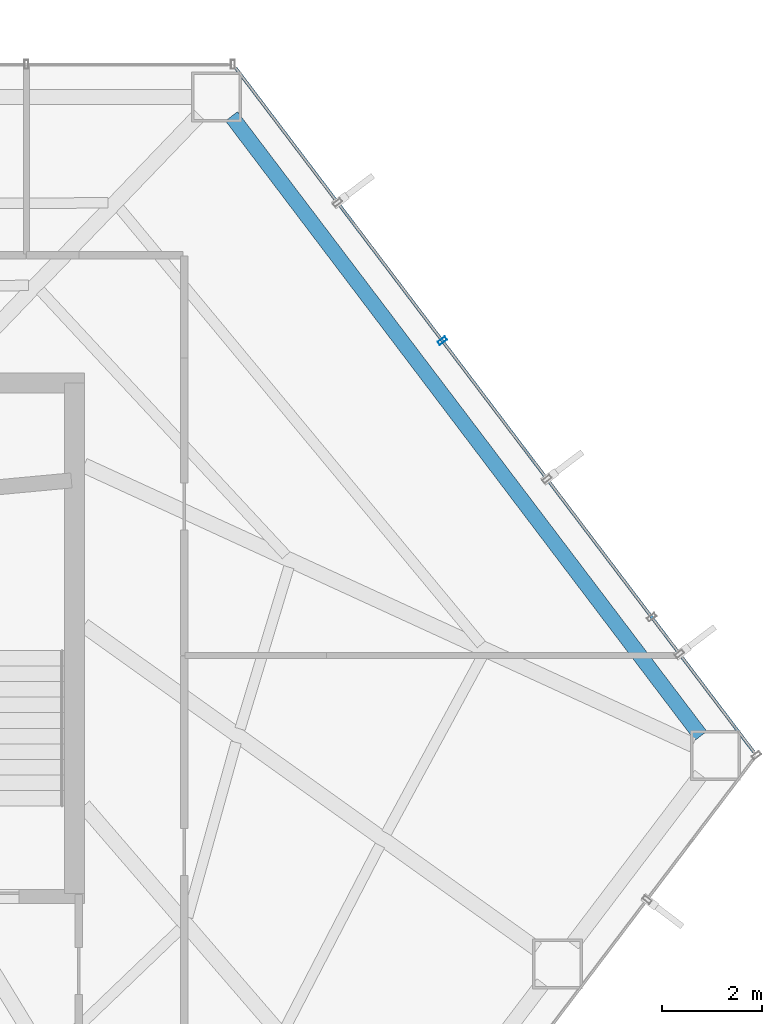
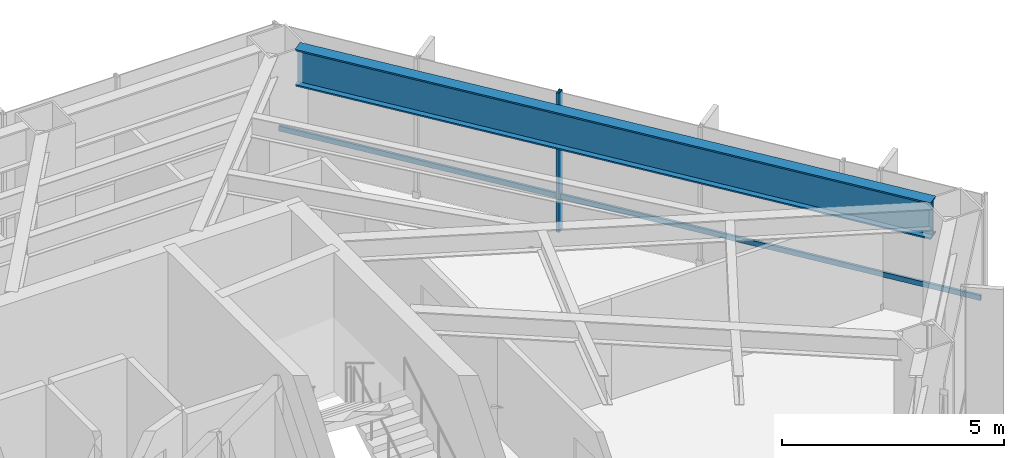
# One storey, part 18 of 24: 2 members, 1 beam, 1 element without a shape of its own.
"""IFC4 building model written with IfcOpenShell, lengths in metres."""

import ifcopenshell
import ifcopenshell.guid

model = None  # the IFC model being written
_history = None  # IfcOwnerHistory: only IFC2X3 demands one
_inside = {}  # id of a spatial element -> (the spatial element, [elements in it])
_under = {}  # id of a project, library or spatial element -> (it, [spatial elements below it])
_declared = {}  # id of a project -> (the project, [libraries it declares])
_typed = {}  # id of a type object -> (the type object, [elements of that type])
_made_of = {}  # id of a material, layer set ... -> (it, [elements and type objects made of it])


def new_model(schema):
    """Start an empty IFC model of exactly this schema.

    Asked for "IFC4X3", IfcOpenShell would pick the latest addendum, in which some entities
    have other attributes; the version numbers below select the first issue.
    IFC2X3 requires an IfcOwnerHistory on every rooted entity: one is made here for all.
    """
    global model, _history
    if schema == "IFC4X3":
        model = ifcopenshell.file(schema_version=(4, 3, 0, 0))
    else:
        model = ifcopenshell.file(schema=schema)
    _inside.clear()
    _under.clear()
    _declared.clear()
    _typed.clear()
    _made_of.clear()
    _history = None
    if model.schema == "IFC2X3":
        org = make("IfcOrganization", Name="unknown")
        user = make(
            "IfcPersonAndOrganization",
            ThePerson=make("IfcPerson", FamilyName="unknown"),
            TheOrganization=org,
        )
        app = make(
            "IfcApplication",
            ApplicationDeveloper=org,
            Version="unknown",
            ApplicationFullName="unknown",
            ApplicationIdentifier="unknown",
        )
        _history = make(
            "IfcOwnerHistory",
            OwningUser=user,
            OwningApplication=app,
            ChangeAction="ADDED",
            CreationDate=0,
        )
    return model


def make(cls, **values):
    """One entity of the class cls with the attributes given. An attribute that is None is left unset."""
    return model.create_entity(
        cls, **{name: value for name, value in values.items() if value is not None}
    )


def rooted(cls, **values):
    """An entity with a GlobalId (a new one), such as an element, a storey or a relation."""
    return make(cls, GlobalId=ifcopenshell.guid.new(), OwnerHistory=_history, **values)


def si_unit(unit_type, name, prefix=None):
    """IfcSIUnit, for example si_unit("LENGTHUNIT", "METRE", prefix="MILLI")."""
    return make("IfcSIUnit", UnitType=unit_type, Prefix=prefix, Name=name)


def assignment(units):
    """IfcUnitAssignment: the units of a project."""
    return None if units is None else make("IfcUnitAssignment", Units=units)


def point(xyz):
    """IfcCartesianPoint."""
    return None if xyz is None else make("IfcCartesianPoint", Coordinates=xyz)


def direction(xyz):
    """IfcDirection."""
    return None if xyz is None else make("IfcDirection", DirectionRatios=xyz)


def frame(location, z_axis=None, x_axis=None):
    """IfcAxis2Placement3D, a coordinate frame: its origin and axes. An axis left out is left unset."""
    return make(
        "IfcAxis2Placement3D",
        Location=point(location),
        Axis=direction(z_axis),
        RefDirection=direction(x_axis),
    )


def frame_2d(location, x_axis=None):
    """IfcAxis2Placement2D, a coordinate frame in the plane: its origin and x axis."""
    return make(
        "IfcAxis2Placement2D", Location=point(location), RefDirection=direction(x_axis)
    )


def origin():
    """The frame at (0, 0, 0) with its axes left unset."""
    return frame((0.0, 0.0, 0.0))


def origin_2d():
    """The frame at (0, 0) in the plane with its x axis left unset."""
    return frame_2d((0.0, 0.0))


def place(relative_to, where):
    """IfcLocalPlacement: puts the frame where relative to a parent placement (None: the world)."""
    return make(
        "IfcLocalPlacement", PlacementRelTo=relative_to, RelativePlacement=where
    )


def context(
    kind, dimensions, precision=None, world=None, true_north=None, identifier=None
):
    """IfcGeometricRepresentationContext, for example the 3D "Model" context."""
    return make(
        "IfcGeometricRepresentationContext",
        ContextIdentifier=identifier,
        ContextType=kind,
        CoordinateSpaceDimension=dimensions,
        Precision=precision,
        WorldCoordinateSystem=world,
        TrueNorth=true_north,
    )


def subcontext(parent, identifier, kind, view, scale=None):
    """IfcGeometricRepresentationSubContext, for example "Body" below "Model"."""
    return make(
        "IfcGeometricRepresentationSubContext",
        ContextIdentifier=identifier,
        ContextType=kind,
        ParentContext=parent,
        TargetScale=scale,
        TargetView=view,
    )


def project(units=None, contexts=None):
    """IfcProject with its units and contexts."""
    return rooted(
        "IfcProject",
        Name="project",
        RepresentationContexts=contexts,
        UnitsInContext=assignment(units),
    )


def spatial(cls, under=None, at=None, **own):
    """A site, building, storey or space (cls), placed at a placement, below another one or the project."""
    s = rooted(cls, ObjectPlacement=at, **own)
    if under is not None:
        _under.setdefault(under.id(), (under, []))[1].append(s)
    return s


def profile(cls, at=None, kind="AREA", **sizes):
    """A parametric profile (cls). Its sizes go by their IFC names, for example OverallWidth=200.0."""
    return make(cls, ProfileType=kind, Position=at, **sizes)


def hollow_rectangle(**sizes):
    """IfcRectangleHollowProfileDef."""
    return profile("IfcRectangleHollowProfileDef", **sizes)


def i_section(**sizes):
    """IfcIShapeProfileDef."""
    return profile("IfcIShapeProfileDef", **sizes)


def extrude(swept, where, along, depth):
    """IfcExtrudedAreaSolid: the profile swept, set in the frame where, extruded along a direction by depth."""
    return make(
        "IfcExtrudedAreaSolid",
        SweptArea=swept,
        Position=where,
        ExtrudedDirection=direction(along),
        Depth=depth,
    )


def shape(context_of_items, identifier, shape_type, items):
    """IfcShapeRepresentation: the items that make up one representation, for example the "Body"."""
    return make(
        "IfcShapeRepresentation",
        ContextOfItems=context_of_items,
        RepresentationIdentifier=identifier,
        RepresentationType=shape_type,
        Items=items,
    )


def material(Name=None, Category=None):
    """IfcMaterial."""
    return make("IfcMaterial", Name=Name, Category=Category)


def layer(
    of_material, thickness, ventilated=None, Name=None, Category=None, Priority=None
):
    """IfcMaterialLayer: one layer of a wall or slab, of a material (None: an air gap)."""
    return make(
        "IfcMaterialLayer",
        Material=of_material,
        LayerThickness=thickness,
        IsVentilated=ventilated,
        Name=Name,
        Category=Category,
        Priority=Priority,
    )


def layer_set(layers, Name=None):
    """IfcMaterialLayerSet."""
    return make("IfcMaterialLayerSet", MaterialLayers=layers, LayerSetName=Name)


def material_profile(
    of_material, cross_section, Name=None, Category=None, Priority=None
):
    """IfcMaterialProfile: a cross section and its material."""
    return make(
        "IfcMaterialProfile",
        Name=Name,
        Material=of_material,
        Profile=cross_section,
        Priority=Priority,
        Category=Category,
    )


def profile_set(profiles, Name=None, composite=None):
    """IfcMaterialProfileSet."""
    return make(
        "IfcMaterialProfileSet",
        Name=Name,
        MaterialProfiles=profiles,
        CompositeProfile=composite,
    )


def made_of(thing, what):
    """Note that an element or type object is made of a material, layer set ...; save() writes the relation."""
    if what is not None:
        _made_of.setdefault(what.id(), (what, []))[1].append(thing)
    return thing


def type_object(cls, material=None, **own):
    """A type object (cls), such as IfcWallType, which elements share."""
    return made_of(rooted(cls, **own), material)


def element(
    cls,
    number,
    at=None,
    inside=None,
    cuts=None,
    type_object=None,
    material=None,
    context=None,
    identifier="Body",
    shape_type=None,
    held_by="IfcProductDefinitionShape",
    body=None,
    shapes=None,
    **own,
):
    """One element of the class cls, such as IfcWall. Its Tag is "e" and its number.

    at: its placement. inside: the storey or other place that contains it. cuts: it is an
    opening in that element (IfcRelVoidsElement). A single representation is given by context,
    identifier, shape_type and body (its items); several are given by shapes. held_by: the class
    of the entity that holds the representations. save() writes the other relations.
    """
    e = rooted(cls, Tag="e%d" % number, ObjectPlacement=at, **own)
    if body is not None:
        shapes = [shape(context, identifier, shape_type, body)]
    if shapes is not None:
        e.Representation = make(held_by, Representations=shapes)
    if inside is not None:
        _inside.setdefault(inside.id(), (inside, []))[1].append(e)
    if cuts is not None:
        rooted(
            "IfcRelVoidsElement", RelatingBuildingElement=cuts, RelatedOpeningElement=e
        )
    if type_object is not None:
        _typed.setdefault(type_object.id(), (type_object, []))[1].append(e)
    return made_of(e, material)


def aggregate(whole, parts):
    """IfcRelAggregates: a whole, such as a stair, and the parts it consists of."""
    return rooted("IfcRelAggregates", RelatingObject=whole, RelatedObjects=parts)


def save(model, path):
    """Write the relations noted so far, then the file.

    IfcRelAggregates (storeys below a building ...), IfcRelContainedInSpatialStructure (elements
    in a storey), IfcRelDefinesByType, IfcRelAssociatesMaterial and IfcRelDeclares: one each for
    every whole, place, type object, material and project.
    """
    for whole, parts in _under.values():
        aggregate(whole, parts)
    for where, things in _inside.values():
        rooted(
            "IfcRelContainedInSpatialStructure",
            RelatedElements=things,
            RelatingStructure=where,
        )
    for kind, things in _typed.values():
        rooted("IfcRelDefinesByType", RelatedObjects=things, RelatingType=kind)
    for what, things in _made_of.values():
        rooted("IfcRelAssociatesMaterial", RelatedObjects=things, RelatingMaterial=what)
    for by, libraries in _declared.values():
        rooted("IfcRelDeclares", RelatingContext=by, RelatedDefinitions=libraries)
    model.write(path)


model = new_model("IFC4")

# Units and contexts
model_context = context("Model", 3, precision=1e-05, world=origin(), true_north=direction((0.0, 1.0)))
body_context = subcontext(model_context, "Body", "Model", "MODEL_VIEW")
ifc_project = project(units=[si_unit("LENGTHUNIT", "METRE"), si_unit("AREAUNIT", "SQUARE_METRE"), si_unit("VOLUMEUNIT", "CUBIC_METRE"), si_unit("PLANEANGLEUNIT", "RADIAN"), si_unit("MASSUNIT", "GRAM", prefix="KILO")], contexts=[model_context])

# Site, building, storey
site_placement = place(None, origin())
site = spatial("IfcSite", under=ifc_project, at=site_placement, CompositionType="ELEMENT")
building_placement = place(site_placement, origin())
building = spatial("IfcBuilding", under=site, at=building_placement, Name="Zarrinselat Tower", CompositionType="ELEMENT")
storey_placement = place(building_placement, frame((0.0, 0.0, 64.260009765625)))
storey = spatial("IfcBuildingStorey", under=building, at=storey_placement, Name="L15", CompositionType="ELEMENT", Elevation=64.260009765625)

# Beam
ifc_material_1 = material(Name="Steel S460M", Category="steel")
ifc_material_profile_1 = material_profile(ifc_material_1, i_section(OverallWidth=0.302001953125, OverallDepth=1.008056640625, WebThickness=0.02099609375, FlangeThickness=0.0400390625, at=origin_2d()), Name="HEM 1000")
ifc_profile_set_1 = profile_set([ifc_material_profile_1], Name="Steel S460M")
beam_type = type_object("IfcBeamType", Name="BM-HEM1000", PredefinedType="BEAM", material=ifc_profile_set_1)
beam_placement = place(storey_placement, frame((51.397705078125, 48.772216796875, 3.31591796875), z_axis=(0.603847696589, -0.797099717303, 0.0), x_axis=(0.797099717303, 0.603847696589, 0.0)))
element("IfcBeam", 1, at=beam_placement, inside=storey, type_object=beam_type, Name="L15 Perimeter Spandrel Girder SP15", PredefinedType="BEAM", context=body_context, shape_type="SweptSolid", body=[
    extrude(i_section(OverallWidth=0.302001953125, OverallDepth=1.008056640625, WebThickness=0.02099609375, FlangeThickness=0.0400390625, at=origin_2d()), origin(), (0.0, 0.0, 1.0), 15.525146484375),
])

# Curtain wall, members
ifc_material_2 = material(Name="Extruded Aluminium Alloy EN AW-6063 T6", Category="aluminium")
ifc_layer = layer(ifc_material_2, 0.18505859375)
ifc_layer_set = layer_set([ifc_layer], Name="Extruded Aluminium Alloy EN AW-6063 T6")
curtain_wall_type = type_object("IfcCurtainWallType", Name="CWS-OFF", PredefinedType="NOTDEFINED", material=ifc_layer_set)
curtain_wall_placement = place(storey_placement, origin())
curtain_wall = element("IfcCurtainWall", 2, at=curtain_wall_placement, inside=storey, type_object=curtain_wall_type, Name="L15 Unitised Curtain Wall CW-L15-E03", PredefinedType="NOTDEFINED")
ifc_material_3 = material(Name="Extruded Aluminium Alloy EN AW-6063 T6", Category="aluminium")
ifc_material_profile_2 = material_profile(ifc_material_3, hollow_rectangle(XDim=0.080078125, YDim=0.179931640625, WallThickness=0.0048828125, at=origin_2d()), Name="RHS 180x80x5")
ifc_profile_set_2 = profile_set([ifc_material_profile_2], Name="Extruded Aluminium Alloy EN AW-6063 T6")
member_type_1 = type_object("IfcMemberType", Name="MEM-CW-MUL", PredefinedType="MULLION", material=ifc_profile_set_2)
member_1_placement = place(storey_placement, frame((55.608642578125, 44.289794921875, 0.0), z_axis=(0.0, 0.0, 1.0), x_axis=(0.603859800485, -0.797090547779, 0.0)))
member_1 = element("IfcMember", 3, at=member_1_placement, type_object=member_type_1, Name="CW-L15-E03 Mullion 2", PredefinedType="MULLION", context=body_context, shape_type="SweptSolid", body=[
    extrude(hollow_rectangle(XDim=0.080078125, YDim=0.179931640625, WallThickness=0.0048828125, at=origin_2d()), origin(), (0.0, 0.0, 1.0), 3.820068359375),
])
ifc_material_4 = material(Name="Extruded Aluminium Alloy EN AW-6063 T6", Category="aluminium")
ifc_material_profile_3 = material_profile(ifc_material_4, hollow_rectangle(XDim=0.06005859375, YDim=0.139892578125, WallThickness=0.00390625, at=origin_2d()), Name="RHS 140x60x4")
ifc_profile_set_3 = profile_set([ifc_material_profile_3], Name="Extruded Aluminium Alloy EN AW-6063 T6")
member_type_2 = type_object("IfcMemberType", Name="MEM-CW-TRN", PredefinedType="USERDEFINED", material=ifc_profile_set_3)
member_2_placement = place(storey_placement, frame((51.480224609375, 49.739501953125, 0.949951171875), z_axis=(0.603854396488, -0.79709464171, 0.0), x_axis=(0.79709464171, 0.603854396488, 0.0)))
member_2 = element("IfcMember", 4, at=member_2_placement, type_object=member_type_2, Name="CW-L15-E03 Transom 1", ObjectType="TRANSOM", PredefinedType="USERDEFINED", context=body_context, shape_type="SweptSolid", body=[
    extrude(hollow_rectangle(XDim=0.06005859375, YDim=0.139892578125, WallThickness=0.00390625, at=origin_2d()), origin(), (0.0, 0.0, 1.0), 17.13671875),
])
aggregate(curtain_wall, [member_1, member_2])

save(model, "model.ifc")
